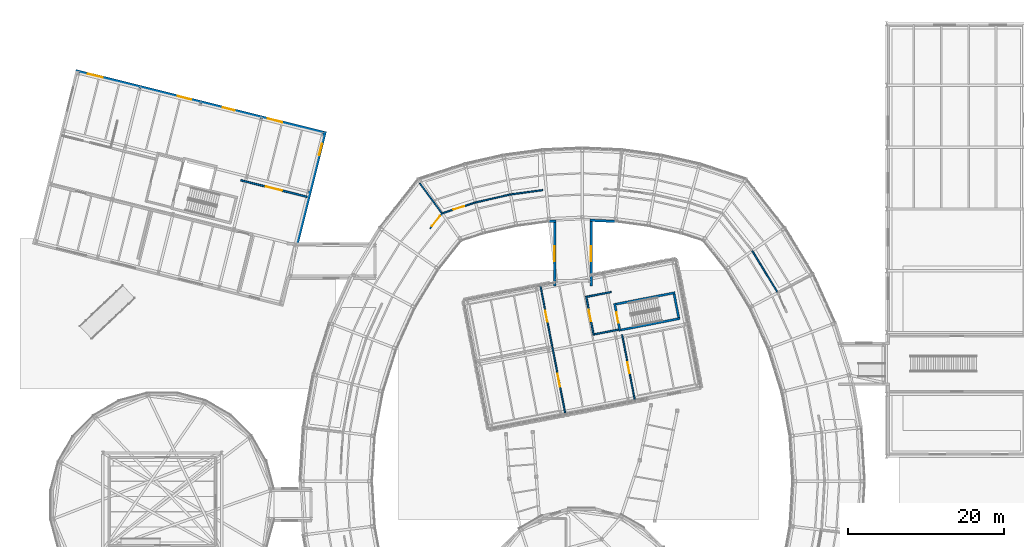
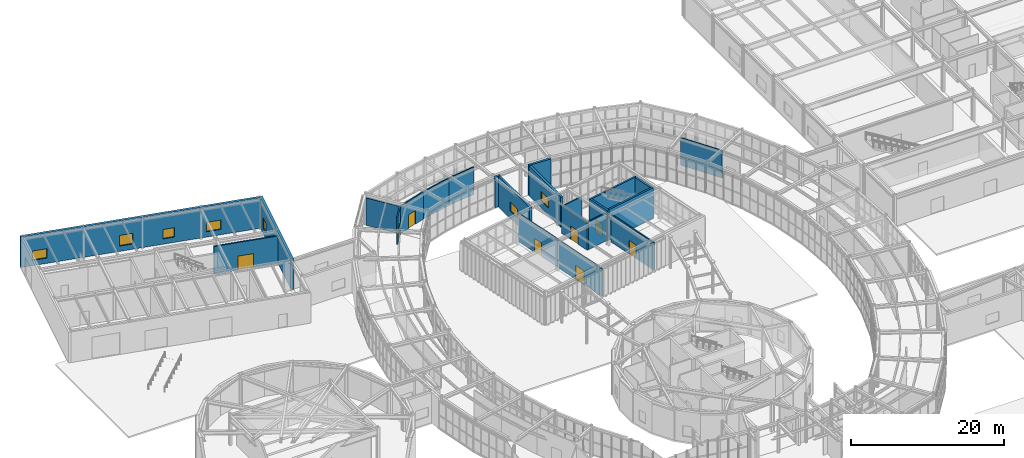
# One storey, part 76 of 97: 23 walls, 8 doors, 7 windows, 15 openings.
"""IFC4 building model written with IfcOpenShell, lengths in metres."""

from ifc_helpers import new_model, si_unit, direction, frame, frame_2d, origin, place, context, subcontext, project, spatial, rectangle, extrude, material, layer, layer_set, type_object, element, fill, save


model = new_model("IFC4")

# Units and contexts
model_context = context("Model", 3, precision=1e-05, world=origin(), true_north=direction((0.0, 1.0)))
body_context = subcontext(model_context, "Body", "Model", "MODEL_VIEW")
ifc_project = project(units=[si_unit("LENGTHUNIT", "METRE"), si_unit("AREAUNIT", "SQUARE_METRE"), si_unit("VOLUMEUNIT", "CUBIC_METRE"), si_unit("PLANEANGLEUNIT", "RADIAN"), si_unit("MASSUNIT", "GRAM", prefix="KILO")], contexts=[model_context])

# Site, building, storey
site_placement = place(None, origin())
site = spatial("IfcSite", under=ifc_project, at=site_placement, CompositionType="ELEMENT")
building_placement = place(site_placement, origin())
building = spatial("IfcBuilding", under=site, at=building_placement, Name="Varnklinge Art Gallery", CompositionType="ELEMENT")
storey_placement = place(building_placement, origin())
storey = spatial("IfcBuildingStorey", under=building, at=storey_placement, Name="L00", CompositionType="ELEMENT", Elevation=0.0)

# Walls
ifc_material_1 = material(Name="Precast concrete C40/50", Category="concrete")
ifc_layer_1 = layer(ifc_material_1, 0.320068359375)
ifc_layer_set_1 = layer_set([ifc_layer_1], Name="Precast concrete C40/50")
wall_type_1 = type_object("IfcWallType", Name="EW-32", PredefinedType="SOLIDWALL", material=ifc_layer_set_1)
wall_1_placement = place(storey_placement, frame((79.738037109375, 88.20556640625, 0.0), z_axis=(0.0, 0.0, 1.0), x_axis=(-0.998997506034, 0.044765868011, 0.0)))
element("IfcWall", 1, at=wall_1_placement, inside=storey, type_object=wall_type_1, Name="EW-V2I-L00-K15-1", PredefinedType="SOLIDWALL", context=body_context, shape_type="SweptSolid", body=[
    extrude(rectangle(XDim=3.26123046875, YDim=0.320068359375, at=frame_2d((1.630615234375, 0.0))), origin(), (0.0, 0.0, 1.0), 4.8798828125),
])
wall_2_placement = place(storey_placement, frame((72.1201171875, 88.243896484375, 0.0), z_axis=(0.0, 0.0, 1.0), x_axis=(-0.999003976874, -0.044621230262, 0.0)))
element("IfcWall", 2, at=wall_2_placement, inside=storey, type_object=wall_type_1, Name="EW-V2I-L00-K16-1", PredefinedType="SOLIDWALL", context=body_context, shape_type="SweptSolid", body=[
    extrude(rectangle(XDim=0.859130859375, YDim=0.320068359375, at=frame_2d((0.4296875, 0.0))), origin(), (0.0, 0.0, 1.0), 4.8798828125),
])

# Wall, opening, window
wall_3_placement = place(storey_placement, frame((71.9599609375, 79.91796875, 0.0), z_axis=(0.0, 0.0, 1.0), x_axis=(0.0, 1.0, 0.0)))
wall_3 = element("IfcWall", 3, at=wall_3_placement, inside=storey, type_object=wall_type_1, Name="L00 Gallery Link Wall EW-LNK-V4N-L00-W", PredefinedType="SOLIDWALL", context=body_context, shape_type="SweptSolid", body=[
    extrude(rectangle(XDim=8.29736328125, YDim=0.320068359375, at=frame_2d((4.148681640625, 0.0))), origin(), (0.0, 0.0, 1.0), 4.820068359375),
])
opening_1_placement = place(wall_3_placement, frame((3.173583984375, 0.0, 1.1201171875)))
opening_1 = element("IfcOpeningElement", 4, at=opening_1_placement, cuts=wall_3, Name="Opening WN-05", PredefinedType="OPENING", context=body_context, shape_type="SweptSolid", body=[
    extrude(rectangle(XDim=1.949951171875, YDim=1.5, at=frame_2d((0.97509765625, 0.75))), frame((0.0, 0.170166015625, 0.0), z_axis=(0.0, -1.0, 0.0), x_axis=(1.0, 0.0, 0.0)), (0.0, 0.0, 1.0), 0.340087890625),
])
ifc_material_2 = material(Name="Insulated Low-E Triple Glazing", Category="glass")
window_type_1 = type_object("IfcWindowType", Name="WN-05", PartitioningType="SINGLE_PANEL", PredefinedType="WINDOW", material=ifc_material_2)
window_1_placement = place(opening_1_placement, origin())
window_1 = element("IfcWindow", 5, at=window_1_placement, inside=storey, type_object=window_type_1, Name="L00 Window WIN-L00-223", OverallHeight=1.5, OverallWidth=1.949951171875, PartitioningType="SINGLE_PANEL", PredefinedType="WINDOW", context=body_context, shape_type="SweptSolid", body=[
    extrude(rectangle(XDim=1.949951171875, YDim=1.5, at=frame_2d((0.97509765625, 0.75))), frame((0.0, 0.030029296875, 0.0), z_axis=(0.0, -1.0, 0.0), x_axis=(1.0, 0.0, 0.0)), (0.0, 0.0, 1.0), 0.06005859375),
])
fill(opening_1, window_1)

wall_4_placement = place(storey_placement, frame((76.639892578125, 88.21533203125, 0.0), z_axis=(0.0, 0.0, 1.0), x_axis=(0.0, -1.0, 0.0)))
wall_4 = element("IfcWall", 6, at=wall_4_placement, inside=storey, type_object=wall_type_1, Name="L00 Gallery Link Wall EW-LNK-V4N-L00-E", PredefinedType="SOLIDWALL", context=body_context, shape_type="SweptSolid", body=[
    extrude(rectangle(XDim=8.29736328125, YDim=0.320068359375, at=frame_2d((4.148681640625, 0.0))), origin(), (0.0, 0.0, 1.0), 4.820068359375),
])
opening_2_placement = place(wall_4_placement, frame((3.173583984375, 0.0, 1.1201171875)))
opening_2 = element("IfcOpeningElement", 7, at=opening_2_placement, cuts=wall_4, Name="Opening WN-05", PredefinedType="OPENING", context=body_context, shape_type="SweptSolid", body=[
    extrude(rectangle(XDim=1.949951171875, YDim=1.5, at=frame_2d((0.97509765625, 0.75))), frame((0.0, 0.170166015625, 0.0), z_axis=(0.0, -1.0, 0.0), x_axis=(1.0, 0.0, 0.0)), (0.0, 0.0, 1.0), 0.340087890625),
])
window_2_placement = place(opening_2_placement, origin())
window_2 = element("IfcWindow", 8, at=window_2_placement, inside=storey, type_object=window_type_1, Name="L00 Window WIN-L00-224", OverallHeight=1.5, OverallWidth=1.949951171875, PartitioningType="SINGLE_PANEL", PredefinedType="WINDOW", context=body_context, shape_type="SweptSolid", body=[
    extrude(rectangle(XDim=1.949951171875, YDim=1.5, at=frame_2d((0.97509765625, 0.75))), frame((0.0, 0.030029296875, 0.0), z_axis=(0.0, -1.0, 0.0), x_axis=(1.0, 0.0, 0.0)), (0.0, 0.0, 1.0), 0.06005859375),
])
fill(opening_2, window_2)

# Wall, openings, windows
ifc_material_3 = material(Name="Concrete C40/50", Category="concrete")
ifc_layer_2 = layer(ifc_material_3, 0.3798828125)
ifc_layer_set_2 = layer_set([ifc_layer_2], Name="Concrete C40/50")
wall_type_2 = type_object("IfcWallType", Name="EW-38", PredefinedType="SOLIDWALL", material=ifc_layer_set_2)
wall_5_placement = place(storey_placement, frame((10.726318359375, 107.4658203125, 0.0), z_axis=(0.0, 0.0, 1.0), x_axis=(0.970295504299, -0.2419227859, 0.0)))
wall_5 = element("IfcWall", 9, at=wall_5_placement, inside=storey, type_object=wall_type_2, Name="L00 Exterior Wall EW-V5-L00-02", PredefinedType="SOLIDWALL", context=body_context, shape_type="SweptSolid", body=[
    extrude(rectangle(XDim=32.81005859375, YDim=0.3798828125, at=frame_2d((16.405029296875, 0.0))), origin(), (0.0, 0.0, 1.0), 4.8798828125),
])
opening_3_placement = place(wall_5_placement, frame((1.60009765625, 0.0, 0.85009765625)))
opening_3 = element("IfcOpeningElement", 10, at=opening_3_placement, cuts=wall_5, Name="Opening WN-05", PredefinedType="OPENING", context=body_context, shape_type="SweptSolid", body=[
    extrude(rectangle(XDim=1.949951171875, YDim=1.5, at=frame_2d((0.97509765625, 0.75))), frame((0.0, 0.199951171875, 0.0), z_axis=(0.0, -1.0, 0.0), x_axis=(1.0, 0.0, 0.0)), (0.0, 0.0, 1.0), 0.39990234375),
])
opening_4_placement = place(wall_5_placement, frame((13.444091796875, 0.0, 0.85009765625)))
opening_4 = element("IfcOpeningElement", 11, at=opening_4_placement, cuts=wall_5, Name="Opening WN-11", PredefinedType="OPENING", context=body_context, shape_type="SweptSolid", body=[
    extrude(rectangle(XDim=1.800048828125, YDim=1.699951171875, at=frame_2d((0.89990234375, 0.85009765625))), frame((0.0, 0.199951171875, 0.0), z_axis=(0.0, -1.0, 0.0), x_axis=(1.0, 0.0, 0.0)), (0.0, 0.0, 1.0), 0.39990234375),
])
opening_5_placement = place(wall_5_placement, frame((19.3662109375, 0.0, 0.85009765625)))
opening_5 = element("IfcOpeningElement", 12, at=opening_5_placement, cuts=wall_5, Name="Opening WN-03", PredefinedType="OPENING", context=body_context, shape_type="SweptSolid", body=[
    extrude(rectangle(XDim=1.550048828125, YDim=1.5, at=frame_2d((0.77490234375, 0.75))), frame((0.0, 0.199951171875, 0.0), z_axis=(0.0, -1.0, 0.0), x_axis=(1.0, 0.0, 0.0)), (0.0, 0.0, 1.0), 0.39990234375),
])
opening_6_placement = place(wall_5_placement, frame((25.2880859375, 0.0, 0.85009765625)))
opening_6 = element("IfcOpeningElement", 13, at=opening_6_placement, cuts=wall_5, Name="Opening WN-05", PredefinedType="OPENING", context=body_context, shape_type="SweptSolid", body=[
    extrude(rectangle(XDim=1.949951171875, YDim=1.5, at=frame_2d((0.97509765625, 0.75))), frame((0.0, 0.199951171875, 0.0), z_axis=(0.0, -1.0, 0.0), x_axis=(1.0, 0.0, 0.0)), (0.0, 0.0, 1.0), 0.39990234375),
])
ifc_material_4 = material(Name="Insulated Low-E Triple Glazing", Category="glass")
window_type_2 = type_object("IfcWindowType", Name="WN-03", PartitioningType="SINGLE_PANEL", PredefinedType="WINDOW", material=ifc_material_4)
window_3_placement = place(opening_5_placement, origin())
window_3 = element("IfcWindow", 14, at=window_3_placement, inside=storey, type_object=window_type_2, Name="L00 Window WIN-L00-126", OverallHeight=1.5, OverallWidth=1.550048828125, PartitioningType="SINGLE_PANEL", PredefinedType="WINDOW", context=body_context, shape_type="SweptSolid", body=[
    extrude(rectangle(XDim=1.550048828125, YDim=1.5, at=frame_2d((0.77490234375, 0.75))), frame((0.0, 0.030029296875, 0.0), z_axis=(0.0, -1.0, 0.0), x_axis=(1.0, 0.0, 0.0)), (0.0, 0.0, 1.0), 0.06005859375),
])
fill(opening_5, window_3)
window_4_placement = place(opening_3_placement, origin())
window_4 = element("IfcWindow", 15, at=window_4_placement, inside=storey, type_object=window_type_1, Name="L00 Window WIN-L00-124", OverallHeight=1.5, OverallWidth=1.949951171875, PartitioningType="SINGLE_PANEL", PredefinedType="WINDOW", context=body_context, shape_type="SweptSolid", body=[
    extrude(rectangle(XDim=1.949951171875, YDim=1.5, at=frame_2d((0.97509765625, 0.75))), frame((0.0, 0.030029296875, 0.0), z_axis=(0.0, -1.0, 0.0), x_axis=(1.0, 0.0, 0.0)), (0.0, 0.0, 1.0), 0.06005859375),
])
fill(opening_3, window_4)
window_5_placement = place(opening_6_placement, origin())
window_5 = element("IfcWindow", 16, at=window_5_placement, inside=storey, type_object=window_type_1, Name="L00 Window WIN-L00-127", OverallHeight=1.5, OverallWidth=1.949951171875, PartitioningType="SINGLE_PANEL", PredefinedType="WINDOW", context=body_context, shape_type="SweptSolid", body=[
    extrude(rectangle(XDim=1.949951171875, YDim=1.5, at=frame_2d((0.97509765625, 0.75))), frame((0.0, 0.030029296875, 0.0), z_axis=(0.0, -1.0, 0.0), x_axis=(1.0, 0.0, 0.0)), (0.0, 0.0, 1.0), 0.06005859375),
])
fill(opening_6, window_5)
ifc_material_5 = material(Name="Insulated Low-E Triple Glazing", Category="glass")
window_type_3 = type_object("IfcWindowType", Name="WN-11", PartitioningType="SINGLE_PANEL", PredefinedType="WINDOW", material=ifc_material_5)
window_6_placement = place(opening_4_placement, origin())
window_6 = element("IfcWindow", 17, at=window_6_placement, inside=storey, type_object=window_type_3, Name="L00 Window WIN-L00-125", OverallHeight=1.699951171875, OverallWidth=1.800048828125, PartitioningType="SINGLE_PANEL", PredefinedType="WINDOW", context=body_context, shape_type="SweptSolid", body=[
    extrude(rectangle(XDim=1.800048828125, YDim=1.699951171875, at=frame_2d((0.89990234375, 0.85009765625))), frame((0.0, 0.030029296875, 0.0), z_axis=(0.0, -1.0, 0.0), x_axis=(1.0, 0.0, 0.0)), (0.0, 0.0, 1.0), 0.06005859375),
])
fill(opening_4, window_6)

# Wall, opening, window
wall_6_placement = place(storey_placement, frame((42.607666015625, 99.712646484375, 0.0), z_axis=(0.0, 0.0, 1.0), x_axis=(-0.241914242385, -0.970297634405, 0.0)))
wall_6 = element("IfcWall", 18, at=wall_6_placement, inside=storey, type_object=wall_type_2, Name="L00 Exterior Wall EW-V5-L00-03", PredefinedType="SOLIDWALL", context=body_context, shape_type="SweptSolid", body=[
    extrude(rectangle(XDim=14.9775390625, YDim=0.3798828125, at=frame_2d((7.48876953125, 0.0))), origin(), (0.0, 0.0, 1.0), 4.8798828125),
])
opening_7_placement = place(wall_6_placement, frame((1.60009765625, 0.0, 0.85009765625)))
opening_7 = element("IfcOpeningElement", 19, at=opening_7_placement, cuts=wall_6, Name="Opening WN-10", PredefinedType="OPENING", context=body_context, shape_type="SweptSolid", body=[
    extrude(rectangle(XDim=1.5, YDim=1.699951171875, at=frame_2d((0.75, 0.85009765625))), frame((0.0, 0.199951171875, 0.0), z_axis=(0.0, -1.0, 0.0), x_axis=(1.0, 0.0, 0.0)), (0.0, 0.0, 1.0), 0.39990234375),
])
ifc_material_6 = material(Name="Insulated Low-E Triple Glazing", Category="glass")
window_type_4 = type_object("IfcWindowType", Name="WN-10", PartitioningType="SINGLE_PANEL", PredefinedType="WINDOW", material=ifc_material_6)
window_7_placement = place(opening_7_placement, origin())
window_7 = element("IfcWindow", 20, at=window_7_placement, inside=storey, type_object=window_type_4, Name="L00 Window WIN-L00-128", OverallHeight=1.699951171875, OverallWidth=1.5, PartitioningType="SINGLE_PANEL", PredefinedType="WINDOW", context=body_context, shape_type="SweptSolid", body=[
    extrude(rectangle(XDim=1.5, YDim=1.699951171875, at=frame_2d((0.75, 0.85009765625))), frame((0.0, 0.030029296875, 0.0), z_axis=(0.0, -1.0, 0.0), x_axis=(1.0, 0.0, 0.0)), (0.0, 0.0, 1.0), 0.06005859375),
])
fill(opening_7, window_7)

# Wall
ifc_material_7 = material(Name="Gypsum Board Partition", Category="gypsum")
ifc_layer_3 = layer(ifc_material_7, 0.179931640625)
ifc_layer_set_3 = layer_set([ifc_layer_3], Name="Gypsum Board Partition")
wall_type_3 = type_object("IfcWallType", Name="IW-18", PredefinedType="PARTITIONING", material=ifc_layer_set_3)
wall_7_placement = place(storey_placement, frame((97.228515625, 84.438720703125, 0.0), z_axis=(0.0, 0.0, 1.0), x_axis=(0.520915928932, -0.853607986716, 0.0)))
element("IfcWall", 21, at=wall_7_placement, inside=storey, type_object=wall_type_3, Name="L00 Partition Wall IW-L00-0070", PredefinedType="PARTITIONING", context=body_context, shape_type="SweptSolid", body=[
    extrude(rectangle(XDim=6.232421875, YDim=0.179931640625, at=frame_2d((3.1162109375, 0.0))), origin(), (0.0, 0.0, 1.0), 4.3701171875),
])

# Wall, opening, door
wall_8_placement = place(storey_placement, frame((57.5634765625, 89.22802734375, 0.0), z_axis=(0.0, 0.0, 1.0), x_axis=(0.950105725535, 0.311928053091, 0.0)))
wall_8 = element("IfcWall", 22, at=wall_8_placement, inside=storey, type_object=wall_type_3, Name="L00 Partition Wall IW-L00-0071", PredefinedType="PARTITIONING", context=body_context, shape_type="SweptSolid", body=[
    extrude(rectangle(XDim=4.50048828125, YDim=0.179931640625, at=frame_2d((2.250244140625, 0.0))), origin(), (0.0, 0.0, 1.0), 4.3701171875),
])
opening_8_placement = place(wall_8_placement, frame((1.540283203125, 0.0, 0.0)))
opening_8 = element("IfcOpeningElement", 23, at=opening_8_placement, cuts=wall_8, Name="Opening D-L00-145", PredefinedType="OPENING", context=body_context, shape_type="SweptSolid", body=[
    extrude(rectangle(XDim=1.419921875, YDim=2.179931640625, at=frame_2d((0.7099609375, 1.08984375))), frame((0.0, 0.099853515625, 0.0), z_axis=(0.0, -1.0, 0.0), x_axis=(1.0, 0.0, 0.0)), (0.0, 0.0, 1.0), 0.199951171875),
])
ifc_material_8 = material(Name="Oak Timber Leaf", Category="wood")
door_type_1 = type_object("IfcDoorType", Name="ID-07", OperationType="DOUBLE_DOOR_SINGLE_SWING", PredefinedType="DOOR", material=ifc_material_8)
door_1_placement = place(opening_8_placement, origin())
door_1 = element("IfcDoor", 24, at=door_1_placement, inside=storey, type_object=door_type_1, Name="L00 L00 Northwest Ring Reception Gallery Door D-L00-145", OperationType="DOUBLE_DOOR_SINGLE_SWING", OverallHeight=2.179931640625, OverallWidth=1.419921875, PredefinedType="DOOR", context=body_context, shape_type="SweptSolid", body=[
    extrude(rectangle(XDim=1.419921875, YDim=2.179931640625, at=frame_2d((0.7099609375, 1.08984375))), frame((0.0, 0.02490234375, 0.0), z_axis=(0.0, -1.0, 0.0), x_axis=(1.0, 0.0, 0.0)), (0.0, 0.0, 1.0), 0.050048828125),
])
fill(opening_8, door_1)

# Walls
wall_9_placement = place(storey_placement, frame((61.83935546875, 90.6318359375, 0.0), z_axis=(0.0, 0.0, 1.0), x_axis=(0.975049979992, 0.221985442131, 0.0)))
element("IfcWall", 25, at=wall_9_placement, inside=storey, type_object=wall_type_3, Name="L00 Partition Wall IW-L00-0072", PredefinedType="PARTITIONING", context=body_context, shape_type="SweptSolid", body=[
    extrude(rectangle(XDim=4.60498046875, YDim=0.179931640625, at=frame_2d((2.302490234375, 0.0))), origin(), (0.0, 0.0, 1.0), 4.3701171875),
])
wall_10_placement = place(storey_placement, frame((66.329345703125, 91.654052734375, 0.0), z_axis=(0.0, 0.0, 1.0), x_axis=(0.990990314018, 0.133933556372, 0.0)))
element("IfcWall", 26, at=wall_10_placement, inside=storey, type_object=wall_type_3, Name="L00 Partition Wall IW-L00-0073", PredefinedType="PARTITIONING", context=body_context, shape_type="SweptSolid", body=[
    extrude(rectangle(XDim=4.137939453125, YDim=0.179931640625, at=frame_2d((2.06884765625, 0.0))), origin(), (0.0, 0.0, 1.0), 4.3701171875),
])

# Wall, opening, door
wall_11_placement = place(storey_placement, frame((56.010498046875, 87.2666015625, 0.0), z_axis=(0.0, 0.0, 1.0), x_axis=(0.620747935214, 0.784010204607, 0.0)))
wall_11 = element("IfcWall", 27, at=wall_11_placement, inside=storey, type_object=wall_type_3, Name="L00 Partition Wall IW-L00-0078", PredefinedType="PARTITIONING", context=body_context, shape_type="SweptSolid", body=[
    extrude(rectangle(XDim=2.501708984375, YDim=0.179931640625, at=frame_2d((1.2509765625, 0.0))), origin(), (0.0, 0.0, 1.0), 4.3701171875),
])
opening_9_placement = place(wall_11_placement, frame((0.430908203125, 0.0, 0.0)))
opening_9 = element("IfcOpeningElement", 28, at=opening_9_placement, cuts=wall_11, Name="Opening D-L00-148", PredefinedType="OPENING", context=body_context, shape_type="SweptSolid", body=[
    extrude(rectangle(XDim=1.639892578125, YDim=2.199951171875, at=frame_2d((0.81982421875, 1.10009765625))), frame((0.0, 0.099853515625, 0.0), z_axis=(0.0, -1.0, 0.0), x_axis=(1.0, 0.0, 0.0)), (0.0, 0.0, 1.0), 0.199951171875),
])
ifc_material_9 = material(Name="Oak Timber Leaf", Category="wood")
door_type_2 = type_object("IfcDoorType", Name="ID-08", OperationType="DOUBLE_DOOR_SINGLE_SWING", PredefinedType="DOOR", material=ifc_material_9)
door_2_placement = place(opening_9_placement, origin())
door_2 = element("IfcDoor", 29, at=door_2_placement, inside=storey, type_object=door_type_2, Name="L00 L00 West Ring Exhibition Gallery 2 Door D-L00-148", OperationType="DOUBLE_DOOR_SINGLE_SWING", OverallHeight=2.199951171875, OverallWidth=1.639892578125, PredefinedType="DOOR", context=body_context, shape_type="SweptSolid", body=[
    extrude(rectangle(XDim=1.639892578125, YDim=2.199951171875, at=frame_2d((0.81982421875, 1.10009765625))), frame((0.0, 0.02490234375, 0.0), z_axis=(0.0, -1.0, 0.0), x_axis=(1.0, 0.0, 0.0)), (0.0, 0.0, 1.0), 0.050048828125),
])
fill(opening_9, door_2)

wall_12_placement = place(storey_placement, frame((71.650634765625, 72.23046875, 0.0), z_axis=(0.0, 0.0, 1.0), x_axis=(-0.190786732806, 0.981631510591, 0.0)))
wall_12 = element("IfcWall", 30, at=wall_12_placement, inside=storey, type_object=wall_type_3, Name="L00 Partition Wall IW-L00-0105", PredefinedType="PARTITIONING", context=body_context, shape_type="SweptSolid", body=[
    extrude(rectangle(XDim=7.880126953125, YDim=0.179931640625, at=frame_2d((3.93994140625, 0.0))), origin(), (0.0, 0.0, 1.0), 4.469970703125),
])
opening_10_placement = place(wall_12_placement, frame((3.22998046875, 0.0, 0.0)))
opening_10 = element("IfcOpeningElement", 31, at=opening_10_placement, cuts=wall_12, Name="Opening D-L00-161", PredefinedType="OPENING", context=body_context, shape_type="SweptSolid", body=[
    extrude(rectangle(XDim=1.419921875, YDim=2.179931640625, at=frame_2d((0.7099609375, 1.08984375))), frame((0.0, 0.099853515625, 0.0), z_axis=(0.0, -1.0, 0.0), x_axis=(1.0, 0.0, 0.0)), (0.0, 0.0, 1.0), 0.199951171875),
])
door_3_placement = place(opening_10_placement, origin())
door_3 = element("IfcDoor", 32, at=door_3_placement, inside=storey, type_object=door_type_1, Name="L00 L00 Lattice North Daylight Gallery Door D-L00-161", OperationType="DOUBLE_DOOR_SINGLE_SWING", OverallHeight=2.179931640625, OverallWidth=1.419921875, PredefinedType="DOOR", context=body_context, shape_type="SweptSolid", body=[
    extrude(rectangle(XDim=1.419921875, YDim=2.179931640625, at=frame_2d((0.7099609375, 1.08984375))), frame((0.0, 0.02490234375, 0.0), z_axis=(0.0, -1.0, 0.0), x_axis=(1.0, 0.0, 0.0)), (0.0, 0.0, 1.0), 0.050048828125),
])
fill(opening_10, door_3)

wall_13_placement = place(storey_placement, frame((73.33349609375, 63.57275390625, 0.0), z_axis=(0.0, 0.0, 1.0), x_axis=(-0.190805940679, 0.981627777216, 0.0)))
wall_13 = element("IfcWall", 33, at=wall_13_placement, inside=storey, type_object=wall_type_3, Name="L00 Partition Wall IW-L00-0106", PredefinedType="PARTITIONING", context=body_context, shape_type="SweptSolid", body=[
    extrude(rectangle(XDim=8.81982421875, YDim=0.179931640625, at=frame_2d((4.409912109375, 0.0))), origin(), (0.0, 0.0, 1.0), 4.419921875),
])
opening_11_placement = place(wall_13_placement, frame((3.58984375, 0.0, 0.0)))
opening_11 = element("IfcOpeningElement", 34, at=opening_11_placement, cuts=wall_13, Name="Opening D-L00-162", PredefinedType="OPENING", context=body_context, shape_type="SweptSolid", body=[
    extrude(rectangle(XDim=1.639892578125, YDim=2.199951171875, at=frame_2d((0.81982421875, 1.10009765625))), frame((0.0, 0.099853515625, 0.0), z_axis=(0.0, -1.0, 0.0), x_axis=(1.0, 0.0, 0.0)), (0.0, 0.0, 1.0), 0.199951171875),
])
door_4_placement = place(opening_11_placement, origin())
door_4 = element("IfcDoor", 35, at=door_4_placement, inside=storey, type_object=door_type_2, Name="L00 L00 Lattice Media Pavilion West Door D-L00-162", OperationType="DOUBLE_DOOR_SINGLE_SWING", OverallHeight=2.199951171875, OverallWidth=1.639892578125, PredefinedType="DOOR", context=body_context, shape_type="SweptSolid", body=[
    extrude(rectangle(XDim=1.639892578125, YDim=2.199951171875, at=frame_2d((0.81982421875, 1.10009765625))), frame((0.0, 0.02490234375, 0.0), z_axis=(0.0, -1.0, 0.0), x_axis=(1.0, 0.0, 0.0)), (0.0, 0.0, 1.0), 0.050048828125),
])
fill(opening_11, door_4)

wall_14_placement = place(storey_placement, frame((80.590087890625, 73.7236328125, 0.0), z_axis=(0.0, 0.0, 1.0), x_axis=(0.190821676148, -0.98162471847, 0.0)))
wall_14 = element("IfcWall", 36, at=wall_14_placement, inside=storey, type_object=wall_type_3, Name="L00 Partition Wall IW-L00-0107", PredefinedType="PARTITIONING", context=body_context, shape_type="SweptSolid", body=[
    extrude(rectangle(XDim=8.579833984375, YDim=0.179931640625, at=frame_2d((4.2900390625, 0.0))), origin(), (0.0, 0.0, 1.0), 4.419921875),
])
opening_12_placement = place(wall_14_placement, frame((3.580078125, 0.0, 0.0)))
opening_12 = element("IfcOpeningElement", 37, at=opening_12_placement, cuts=wall_14, Name="Opening D-L00-163", PredefinedType="OPENING", context=body_context, shape_type="SweptSolid", body=[
    extrude(rectangle(XDim=1.419921875, YDim=2.179931640625, at=frame_2d((0.7099609375, 1.08984375))), frame((0.0, 0.099853515625, 0.0), z_axis=(0.0, -1.0, 0.0), x_axis=(1.0, 0.0, 0.0)), (0.0, 0.0, 1.0), 0.199951171875),
])
door_5_placement = place(opening_12_placement, origin())
door_5 = element("IfcDoor", 38, at=door_5_placement, inside=storey, type_object=door_type_1, Name="L00 L00 Lattice Digital Art Pavilion South Door D-L00-163", OperationType="DOUBLE_DOOR_SINGLE_SWING", OverallHeight=2.179931640625, OverallWidth=1.419921875, PredefinedType="DOOR", context=body_context, shape_type="SweptSolid", body=[
    extrude(rectangle(XDim=1.419921875, YDim=2.179931640625, at=frame_2d((0.7099609375, 1.08984375))), frame((0.0, 0.02490234375, 0.0), z_axis=(0.0, -1.0, 0.0), x_axis=(1.0, 0.0, 0.0)), (0.0, 0.0, 1.0), 0.050048828125),
])
fill(opening_12, door_5)

# Walls
wall_15_placement = place(storey_placement, frame((57.5634765625, 89.22802734375, 0.0), z_axis=(0.0, 0.0, 1.0), x_axis=(-0.593204202216, 0.805052032153, 0.0)))
element("IfcWall", 39, at=wall_15_placement, inside=storey, type_object=wall_type_3, Name="L00 Partition Wall IW-L00-0140", PredefinedType="PARTITIONING", context=body_context, shape_type="SweptSolid", body=[
    extrude(rectangle(XDim=4.837890625, YDim=0.179931640625, at=frame_2d((2.4189453125, 0.0))), origin(), (0.0, 0.0, 1.0), 4.3701171875),
])
ifc_material_10 = material(Name="Concrete C40/50", Category="concrete")
ifc_layer_4 = layer(ifc_material_10, 0.199951171875)
ifc_layer_set_4 = layer_set([ifc_layer_4], Name="Concrete C40/50")
wall_type_4 = type_object("IfcWallType", Name="IW-20", PredefinedType="PARTITIONING", material=ifc_layer_set_4)
for number, where, z_axis, x_axis, name in (
    (40, (77.03662109375, 73.7666015625, 0.0), (0.0, 0.0, 1.0), (0.981639181901, 0.190747258323, 0.0), "L00 Core C8 Lobby South Wall"),
    (41, (79.193603515625, 79.177490234375, 0.0), (0.0, 0.0, 1.0), (-0.981624666284, -0.190821944603, 0.0), "L00 Core C8 Lobby North Wall"),
):
    element("IfcWall", number, at=place(storey_placement, frame(where, z_axis=z_axis, x_axis=x_axis)), inside=storey, type_object=wall_type_4, Name=name, PredefinedType="PARTITIONING", context=body_context, shape_type="SweptSolid", body=[
        extrude(rectangle(XDim=3.14990234375, YDim=0.199951171875, at=frame_2d((1.574951171875, 0.0))), origin(), (0.0, 0.0, 1.0), 4.469970703125),
    ])

# Wall, opening, door
wall_16_placement = place(storey_placement, frame((76.95751953125, 73.649169921875, 0.0), z_axis=(0.0, 0.0, 1.0), x_axis=(-0.190810719655, 0.98162684828, 0.0)))
wall_16 = element("IfcWall", 42, at=wall_16_placement, inside=storey, type_object=wall_type_4, Name="L00 Core C8 Lobby Corridor Wall", PredefinedType="PARTITIONING", context=body_context, shape_type="SweptSolid", body=[
    extrude(rectangle(XDim=5.10009765625, YDim=0.199951171875, at=frame_2d((2.550048828125, 0.0))), origin(), (0.0, 0.0, 1.0), 4.530029296875),
])
opening_13_placement = place(wall_16_placement, frame((1.81005859375, 0.0, 0.0)))
opening_13 = element("IfcOpeningElement", 43, at=opening_13_placement, cuts=wall_16, Name="Opening D-L00-109", PredefinedType="OPENING", context=body_context, shape_type="SweptSolid", body=[
    extrude(rectangle(XDim=1.47998046875, YDim=2.14990234375, at=frame_2d((0.739990234375, 1.074951171875))), frame((0.0, 0.110107421875, 0.0), z_axis=(0.0, -1.0, 0.0), x_axis=(1.0, 0.0, 0.0)), (0.0, 0.0, 1.0), 0.219970703125),
])
ifc_material_11 = material(Name="Galvanised Fire-Rated Steel", Category="steel")
door_type_3 = type_object("IfcDoorType", Name="ID-LB1", OperationType="DOUBLE_DOOR_SINGLE_SWING", PredefinedType="DOOR", material=ifc_material_11)
door_6_placement = place(opening_13_placement, origin())
door_6 = element("IfcDoor", 44, at=door_6_placement, inside=storey, type_object=door_type_3, Name="L00 Core C8 Protected Lobby Door D-L00-109", OperationType="DOUBLE_DOOR_SINGLE_SWING", OverallHeight=2.14990234375, OverallWidth=1.47998046875, PredefinedType="DOOR", context=body_context, shape_type="SweptSolid", body=[
    extrude(rectangle(XDim=1.47998046875, YDim=2.14990234375, at=frame_2d((0.739990234375, 1.074951171875))), frame((0.0, 0.02490234375, 0.0), z_axis=(0.0, -1.0, 0.0), x_axis=(1.0, 0.0, 0.0)), (0.0, 0.0, 1.0), 0.050048828125),
])
fill(opening_13, door_6)

ifc_material_12 = material(Name="Concrete C40/50", Category="concrete")
ifc_layer_5 = layer(ifc_material_12, 0.219970703125)
ifc_layer_set_5 = layer_set([ifc_layer_5], Name="Concrete C40/50")
wall_type_5 = type_object("IfcWallType", Name="IW-22", PredefinedType="PARTITIONING", material=ifc_layer_set_5)
wall_17_placement = place(storey_placement, frame((31.832763671875, 93.463623046875, 0.0), z_axis=(0.0, 0.0, 1.0), x_axis=(0.970299874482, -0.241905257445, 0.0)))
wall_17 = element("IfcWall", 45, at=wall_17_placement, inside=storey, type_object=wall_type_5, Name="L00 Partition Wall IW-L00-0114", PredefinedType="PARTITIONING", context=body_context, shape_type="SweptSolid", body=[
    extrude(rectangle(XDim=8.7490234375, YDim=0.219970703125, at=frame_2d((4.37451171875, 0.0))), origin(), (0.0, 0.0, 1.0), 4.419921875),
])
opening_14_placement = place(wall_17_placement, frame((3.324462890625, 0.0, 0.0)))
opening_14 = element("IfcOpeningElement", 46, at=opening_14_placement, cuts=wall_17, Name="Opening D-L00-167", PredefinedType="OPENING", context=body_context, shape_type="SweptSolid", body=[
    extrude(rectangle(XDim=2.10009765625, YDim=2.25, at=frame_2d((1.050048828125, 1.125))), frame((0.0, 0.119873046875, 0.0), z_axis=(0.0, -1.0, 0.0), x_axis=(1.0, 0.0, 0.0)), (0.0, 0.0, 1.0), 0.239990234375),
])
ifc_material_13 = material(Name="Galvanised Fire-Rated Steel", Category="steel")
door_type_4 = type_object("IfcDoorType", Name="ID-10", OperationType="DOUBLE_DOOR_SINGLE_SWING", PredefinedType="DOOR", material=ifc_material_13)
door_7_placement = place(opening_14_placement, origin())
door_7 = element("IfcDoor", 47, at=door_7_placement, inside=storey, type_object=door_type_4, Name="L00 L00 Art Packing and Crate Workshop Door D-L00-167", OperationType="DOUBLE_DOOR_SINGLE_SWING", OverallHeight=2.25, OverallWidth=2.10009765625, PredefinedType="DOOR", context=body_context, shape_type="SweptSolid", body=[
    extrude(rectangle(XDim=2.10009765625, YDim=2.25, at=frame_2d((1.050048828125, 1.125))), frame((0.0, 0.02490234375, 0.0), z_axis=(0.0, -1.0, 0.0), x_axis=(1.0, 0.0, 0.0)), (0.0, 0.0, 1.0), 0.050048828125),
])
fill(opening_14, door_7)

# Walls
ifc_material_14 = material(Name="Concrete C40/50", Category="concrete")
ifc_layer_6 = layer(ifc_material_14, 0.280029296875)
ifc_layer_set_6 = layer_set([ifc_layer_6], Name="Concrete C40/50")
wall_type_6 = type_object("IfcWallType", Name="SW-28", PredefinedType="SHEAR", material=ifc_layer_set_6)
wall_18_placement = place(storey_placement, frame((80.432373046875, 74.32470703125, 0.0), z_axis=(0.0, 0.0, 1.0), x_axis=(0.981627268792, 0.190808556318, 0.0)))
element("IfcWall", 48, at=wall_18_placement, inside=storey, type_object=wall_type_6, Name="L00 Core C8 South Shear Wall", PredefinedType="SHEAR", context=body_context, shape_type="SweptSolid", body=[
    extrude(rectangle(XDim=7.699951171875, YDim=0.280029296875, at=frame_2d((3.85009765625, 0.0))), origin(), (0.0, 0.0, 1.0), 4.8798828125),
])
wall_19_placement = place(storey_placement, frame((87.826904296875, 75.904541015625, 0.0), z_axis=(0.0, 0.0, 1.0), x_axis=(-0.190869659102, 0.981615389669, 0.0)))
element("IfcWall", 49, at=wall_19_placement, inside=storey, type_object=wall_type_6, Name="L00 Core C8 East Shear Wall", PredefinedType="SHEAR", context=body_context, shape_type="SweptSolid", body=[
    extrude(rectangle(XDim=3.080078125, YDim=0.280029296875, at=frame_2d((1.5400390625, 0.0))), origin(), (0.0, 0.0, 1.0), 4.8798828125),
])
wall_20_placement = place(storey_placement, frame((87.349853515625, 79.09228515625, 0.0), z_axis=(0.0, 0.0, 1.0), x_axis=(-0.98162132967, -0.190839107987, 0.0)))
element("IfcWall", 50, at=wall_20_placement, inside=storey, type_object=wall_type_6, Name="L00 Core C8 Dividing Shear Wall", PredefinedType="SHEAR", context=body_context, shape_type="SweptSolid", body=[
    extrude(rectangle(XDim=7.7001953125, YDim=0.280029296875, at=frame_2d((3.85009765625, 0.0))), origin(), (0.0, 0.0, 1.0), 4.8798828125),
])

# Wall, opening, door
wall_21_placement = place(storey_placement, frame((79.627197265625, 77.733642578125, 0.0), z_axis=(0.0, 0.0, 1.0), x_axis=(0.190812213529, -0.981626557897, 0.0)))
wall_21 = element("IfcWall", 51, at=wall_21_placement, inside=storey, type_object=wall_type_6, Name="L00 Core C8 Front Shear Wall", PredefinedType="SHEAR", context=body_context, shape_type="SweptSolid", body=[
    extrude(rectangle(XDim=3.64013671875, YDim=0.280029296875, at=frame_2d((1.820068359375, 0.0))), origin(), (0.0, 0.0, 1.0), 4.8798828125),
])
opening_15_placement = place(wall_21_placement, frame((1.199951171875, 0.0, 0.0)))
opening_15 = element("IfcOpeningElement", 52, at=opening_15_placement, cuts=wall_21, Name="Opening D-L00-108", PredefinedType="OPENING", context=body_context, shape_type="SweptSolid", body=[
    extrude(rectangle(XDim=1.320068359375, YDim=2.1201171875, at=frame_2d((0.66015625, 1.06005859375))), frame((0.0, 0.150146484375, 0.0), z_axis=(0.0, -1.0, 0.0), x_axis=(1.0, 0.0, 0.0)), (0.0, 0.0, 1.0), 0.300048828125),
])
ifc_material_15 = material(Name="Galvanised Fire-Rated Steel", Category="steel")
door_type_5 = type_object("IfcDoorType", Name="ID-ST1", OperationType="SINGLE_SWING_LEFT", PredefinedType="DOOR", material=ifc_material_15)
door_8_placement = place(opening_15_placement, origin())
door_8 = element("IfcDoor", 53, at=door_8_placement, inside=storey, type_object=door_type_5, Name="L00 Stair ST-10 Fire Door D-L00-108", OperationType="SINGLE_SWING_RIGHT", OverallHeight=2.1201171875, OverallWidth=1.320068359375, PredefinedType="DOOR", context=body_context, shape_type="SweptSolid", body=[
    extrude(rectangle(XDim=1.320068359375, YDim=2.1201171875, at=frame_2d((0.66015625, 1.06005859375))), frame((0.0, 0.02490234375, 0.0), z_axis=(0.0, -1.0, 0.0), x_axis=(1.0, 0.0, 0.0)), (0.0, 0.0, 1.0), 0.050048828125),
])
fill(opening_15, door_8)

save(model, "model.ifc")
